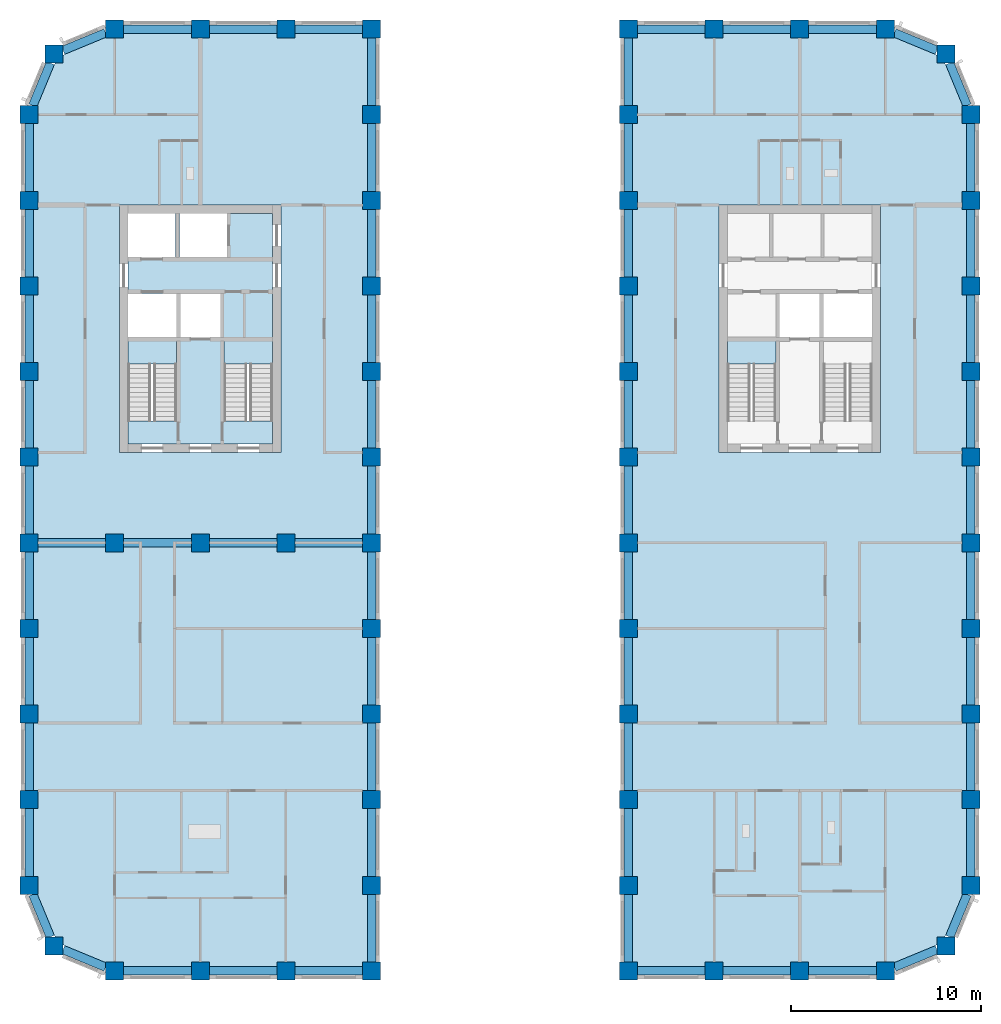
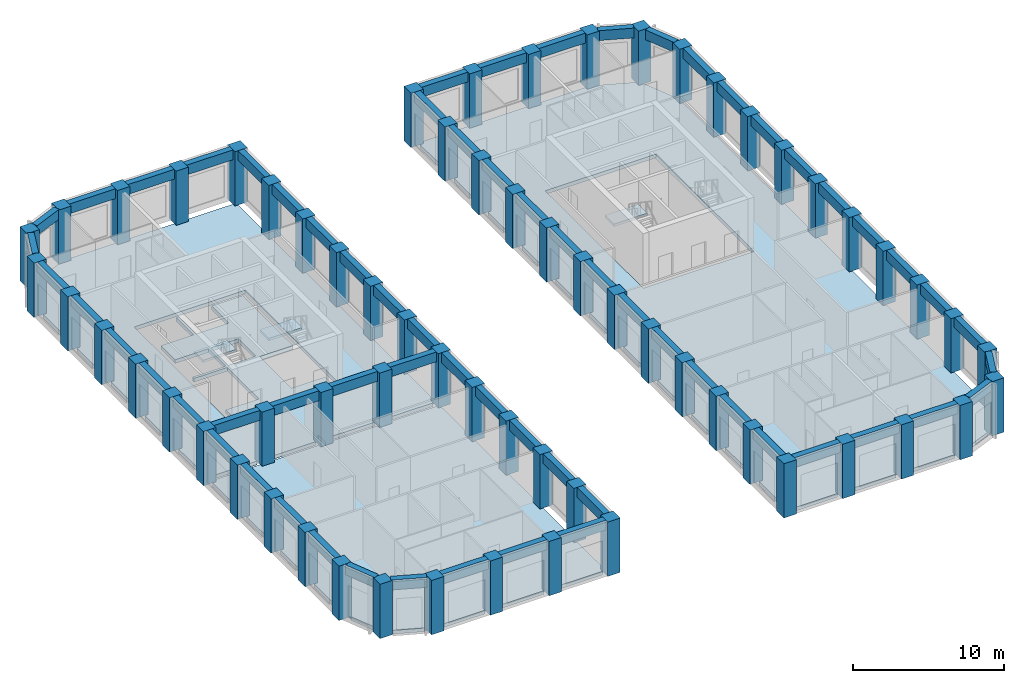
# One storey, part 1 of 12: 64 beams, 63 columns, 7 slabs, 3 elements without a shape of their own.
"""IFC4 building model written with IfcOpenShell, lengths in metres."""

import ifcopenshell
import ifcopenshell.guid

model = None  # the IFC model being written
_history = None  # IfcOwnerHistory: only IFC2X3 demands one
_inside = {}  # id of a spatial element -> (the spatial element, [elements in it])
_under = {}  # id of a project, library or spatial element -> (it, [spatial elements below it])
_declared = {}  # id of a project -> (the project, [libraries it declares])
_typed = {}  # id of a type object -> (the type object, [elements of that type])
_made_of = {}  # id of a material, layer set ... -> (it, [elements and type objects made of it])


def new_model(schema):
    """Start an empty IFC model of exactly this schema.

    Asked for "IFC4X3", IfcOpenShell would pick the latest addendum, in which some entities
    have other attributes; the version numbers below select the first issue.
    IFC2X3 requires an IfcOwnerHistory on every rooted entity: one is made here for all.
    """
    global model, _history
    if schema == "IFC4X3":
        model = ifcopenshell.file(schema_version=(4, 3, 0, 0))
    else:
        model = ifcopenshell.file(schema=schema)
    _inside.clear()
    _under.clear()
    _declared.clear()
    _typed.clear()
    _made_of.clear()
    _history = None
    if model.schema == "IFC2X3":
        org = make("IfcOrganization", Name="unknown")
        user = make(
            "IfcPersonAndOrganization",
            ThePerson=make("IfcPerson", FamilyName="unknown"),
            TheOrganization=org,
        )
        app = make(
            "IfcApplication",
            ApplicationDeveloper=org,
            Version="unknown",
            ApplicationFullName="unknown",
            ApplicationIdentifier="unknown",
        )
        _history = make(
            "IfcOwnerHistory",
            OwningUser=user,
            OwningApplication=app,
            ChangeAction="ADDED",
            CreationDate=0,
        )
    return model


def make(cls, **values):
    """One entity of the class cls with the attributes given. An attribute that is None is left unset."""
    return model.create_entity(
        cls, **{name: value for name, value in values.items() if value is not None}
    )


def rooted(cls, **values):
    """An entity with a GlobalId (a new one), such as an element, a storey or a relation."""
    return make(cls, GlobalId=ifcopenshell.guid.new(), OwnerHistory=_history, **values)


def si_unit(unit_type, name, prefix=None):
    """IfcSIUnit, for example si_unit("LENGTHUNIT", "METRE", prefix="MILLI")."""
    return make("IfcSIUnit", UnitType=unit_type, Prefix=prefix, Name=name)


def assignment(units):
    """IfcUnitAssignment: the units of a project."""
    return None if units is None else make("IfcUnitAssignment", Units=units)


def point(xyz):
    """IfcCartesianPoint."""
    return None if xyz is None else make("IfcCartesianPoint", Coordinates=xyz)


def direction(xyz):
    """IfcDirection."""
    return None if xyz is None else make("IfcDirection", DirectionRatios=xyz)


def frame(location, z_axis=None, x_axis=None):
    """IfcAxis2Placement3D, a coordinate frame: its origin and axes. An axis left out is left unset."""
    return make(
        "IfcAxis2Placement3D",
        Location=point(location),
        Axis=direction(z_axis),
        RefDirection=direction(x_axis),
    )


def frame_2d(location, x_axis=None):
    """IfcAxis2Placement2D, a coordinate frame in the plane: its origin and x axis."""
    return make(
        "IfcAxis2Placement2D", Location=point(location), RefDirection=direction(x_axis)
    )


def origin():
    """The frame at (0, 0, 0) with its axes left unset."""
    return frame((0.0, 0.0, 0.0))


def origin_2d():
    """The frame at (0, 0) in the plane with its x axis left unset."""
    return frame_2d((0.0, 0.0))


def place(relative_to, where):
    """IfcLocalPlacement: puts the frame where relative to a parent placement (None: the world)."""
    return make(
        "IfcLocalPlacement", PlacementRelTo=relative_to, RelativePlacement=where
    )


def context(
    kind, dimensions, precision=None, world=None, true_north=None, identifier=None
):
    """IfcGeometricRepresentationContext, for example the 3D "Model" context."""
    return make(
        "IfcGeometricRepresentationContext",
        ContextIdentifier=identifier,
        ContextType=kind,
        CoordinateSpaceDimension=dimensions,
        Precision=precision,
        WorldCoordinateSystem=world,
        TrueNorth=true_north,
    )


def subcontext(parent, identifier, kind, view, scale=None):
    """IfcGeometricRepresentationSubContext, for example "Body" below "Model"."""
    return make(
        "IfcGeometricRepresentationSubContext",
        ContextIdentifier=identifier,
        ContextType=kind,
        ParentContext=parent,
        TargetScale=scale,
        TargetView=view,
    )


def project(units=None, contexts=None):
    """IfcProject with its units and contexts."""
    return rooted(
        "IfcProject",
        Name="project",
        RepresentationContexts=contexts,
        UnitsInContext=assignment(units),
    )


def spatial(cls, under=None, at=None, **own):
    """A site, building, storey or space (cls), placed at a placement, below another one or the project."""
    s = rooted(cls, ObjectPlacement=at, **own)
    if under is not None:
        _under.setdefault(under.id(), (under, []))[1].append(s)
    return s


def polyline(points):
    """IfcPolyline through the points."""
    return make("IfcPolyline", Points=[point(p) for p in points])


def profile(cls, at=None, kind="AREA", **sizes):
    """A parametric profile (cls). Its sizes go by their IFC names, for example OverallWidth=200.0."""
    return make(cls, ProfileType=kind, Position=at, **sizes)


def rectangle(**sizes):
    """IfcRectangleProfileDef."""
    return profile("IfcRectangleProfileDef", **sizes)


def outline(outer, holes=None, kind="AREA"):
    """IfcArbitraryClosedProfileDef: a profile drawn as a closed curve; with holes, ...WithVoids."""
    if holes is None:
        return make("IfcArbitraryClosedProfileDef", ProfileType=kind, OuterCurve=outer)
    return make(
        "IfcArbitraryProfileDefWithVoids",
        ProfileType=kind,
        OuterCurve=outer,
        InnerCurves=holes,
    )


def extrude(swept, where, along, depth):
    """IfcExtrudedAreaSolid: the profile swept, set in the frame where, extruded along a direction by depth."""
    return make(
        "IfcExtrudedAreaSolid",
        SweptArea=swept,
        Position=where,
        ExtrudedDirection=direction(along),
        Depth=depth,
    )


def shape(context_of_items, identifier, shape_type, items):
    """IfcShapeRepresentation: the items that make up one representation, for example the "Body"."""
    return make(
        "IfcShapeRepresentation",
        ContextOfItems=context_of_items,
        RepresentationIdentifier=identifier,
        RepresentationType=shape_type,
        Items=items,
    )


def material(Name=None, Category=None):
    """IfcMaterial."""
    return make("IfcMaterial", Name=Name, Category=Category)


def layer(
    of_material, thickness, ventilated=None, Name=None, Category=None, Priority=None
):
    """IfcMaterialLayer: one layer of a wall or slab, of a material (None: an air gap)."""
    return make(
        "IfcMaterialLayer",
        Material=of_material,
        LayerThickness=thickness,
        IsVentilated=ventilated,
        Name=Name,
        Category=Category,
        Priority=Priority,
    )


def layer_set(layers, Name=None):
    """IfcMaterialLayerSet."""
    return make("IfcMaterialLayerSet", MaterialLayers=layers, LayerSetName=Name)


def material_profile(
    of_material, cross_section, Name=None, Category=None, Priority=None
):
    """IfcMaterialProfile: a cross section and its material."""
    return make(
        "IfcMaterialProfile",
        Name=Name,
        Material=of_material,
        Profile=cross_section,
        Priority=Priority,
        Category=Category,
    )


def profile_set(profiles, Name=None, composite=None):
    """IfcMaterialProfileSet."""
    return make(
        "IfcMaterialProfileSet",
        Name=Name,
        MaterialProfiles=profiles,
        CompositeProfile=composite,
    )


def made_of(thing, what):
    """Note that an element or type object is made of a material, layer set ...; save() writes the relation."""
    if what is not None:
        _made_of.setdefault(what.id(), (what, []))[1].append(thing)
    return thing


def type_object(cls, material=None, **own):
    """A type object (cls), such as IfcWallType, which elements share."""
    return made_of(rooted(cls, **own), material)


def element(
    cls,
    number,
    at=None,
    inside=None,
    cuts=None,
    type_object=None,
    material=None,
    context=None,
    identifier="Body",
    shape_type=None,
    held_by="IfcProductDefinitionShape",
    body=None,
    shapes=None,
    **own,
):
    """One element of the class cls, such as IfcWall. Its Tag is "e" and its number.

    at: its placement. inside: the storey or other place that contains it. cuts: it is an
    opening in that element (IfcRelVoidsElement). A single representation is given by context,
    identifier, shape_type and body (its items); several are given by shapes. held_by: the class
    of the entity that holds the representations. save() writes the other relations.
    """
    e = rooted(cls, Tag="e%d" % number, ObjectPlacement=at, **own)
    if body is not None:
        shapes = [shape(context, identifier, shape_type, body)]
    if shapes is not None:
        e.Representation = make(held_by, Representations=shapes)
    if inside is not None:
        _inside.setdefault(inside.id(), (inside, []))[1].append(e)
    if cuts is not None:
        rooted(
            "IfcRelVoidsElement", RelatingBuildingElement=cuts, RelatedOpeningElement=e
        )
    if type_object is not None:
        _typed.setdefault(type_object.id(), (type_object, []))[1].append(e)
    return made_of(e, material)


def aggregate(whole, parts):
    """IfcRelAggregates: a whole, such as a stair, and the parts it consists of."""
    return rooted("IfcRelAggregates", RelatingObject=whole, RelatedObjects=parts)


def save(model, path):
    """Write the relations noted so far, then the file.

    IfcRelAggregates (storeys below a building ...), IfcRelContainedInSpatialStructure (elements
    in a storey), IfcRelDefinesByType, IfcRelAssociatesMaterial and IfcRelDeclares: one each for
    every whole, place, type object, material and project.
    """
    for whole, parts in _under.values():
        aggregate(whole, parts)
    for where, things in _inside.values():
        rooted(
            "IfcRelContainedInSpatialStructure",
            RelatedElements=things,
            RelatingStructure=where,
        )
    for kind, things in _typed.values():
        rooted("IfcRelDefinesByType", RelatedObjects=things, RelatingType=kind)
    for what, things in _made_of.values():
        rooted("IfcRelAssociatesMaterial", RelatedObjects=things, RelatingMaterial=what)
    for by, libraries in _declared.values():
        rooted("IfcRelDeclares", RelatingContext=by, RelatedDefinitions=libraries)
    model.write(path)


model = new_model("IFC4")

# Units and contexts
model_context = context("Model", 3, precision=1e-05, world=origin(), true_north=direction((0.0, 1.0)))
body_context = subcontext(model_context, "Body", "Model", "MODEL_VIEW")
ifc_project = project(units=[si_unit("LENGTHUNIT", "METRE"), si_unit("AREAUNIT", "SQUARE_METRE"), si_unit("VOLUMEUNIT", "CUBIC_METRE"), si_unit("PLANEANGLEUNIT", "RADIAN"), si_unit("MASSUNIT", "GRAM", prefix="KILO")], contexts=[model_context])

# Site, building, storey
site_placement = place(None, origin())
site = spatial("IfcSite", under=ifc_project, at=site_placement, CompositionType="ELEMENT")
building_placement = place(site_placement, origin())
building = spatial("IfcBuilding", under=site, at=building_placement, Name="Girih Gate Residences", CompositionType="ELEMENT")
storey_placement = place(building_placement, frame((0.0, 0.0, 155.0)))
storey = spatial("IfcBuildingStorey", under=building, at=storey_placement, Name="L43", CompositionType="ELEMENT", Elevation=155.0)

# Columns
ifc_material_1 = material(Name="Concrete C70/85", Category="concrete")
ifc_material_profile_1 = material_profile(ifc_material_1, rectangle(XDim=0.949951171875, YDim=0.949951171875, at=origin_2d()))
ifc_profile_set_1 = profile_set([ifc_material_profile_1], Name="Concrete C70/85")
column_type = type_object("IfcColumnType", Name="Pier RC 950x950 Concrete C70/85", PredefinedType="COLUMN", material=ifc_profile_set_1)
for number, where, z_axis, x_axis, name in (
    (1, (4.5, 0.0, 0.0), (0.0, 0.0, 1.0), (1.0, 0.0, 0.0), "Pier P2A L43"),
    (2, (9.0, 0.0, 0.0), (0.0, 0.0, 1.0), (1.0, 0.0, 0.0), "Pier P3A L43"),
    (3, (13.5, 0.0, 0.0), (0.0, 0.0, 1.0), (1.0, 0.0, 0.0), "Pier P4A L43"),
    (4, (18.0, 0.0, 0.0), (0.0, 0.0, 1.0), (1.0, 0.0, 0.0), "Pier P5A L43"),
    (5, (31.5, 0.0, 0.0), (0.0, 0.0, 1.0), (1.0, 0.0, 0.0), "Pier P8A L43"),
    (6, (36.0, 0.0, 0.0), (0.0, 0.0, 1.0), (1.0, 0.0, 0.0), "Pier P9A L43"),
    (7, (40.5, 0.0, 0.0), (0.0, 0.0, 1.0), (1.0, 0.0, 0.0), "Pier P10A L43"),
    (8, (45.0, 0.0, 0.0), (0.0, 0.0, 1.0), (1.0, 0.0, 0.0), "Pier P11A L43"),
    (9, (1.318115234375, 1.318115234375, 0.0), (0.0, 0.0, 1.0), (1.0, 0.0, 0.0), "Pier P1ANE L43"),
    (10, (48.181884765625, 1.318115234375, 0.0), (0.0, 0.0, 1.0), (1.0, 0.0, 0.0), "Pier P12ANW L43"),
    (11, (0.0, 4.5, 0.0), (0.0, 0.0, 1.0), (1.0, 0.0, 0.0), "Pier P1B L43"),
    (12, (18.0, 4.5, 0.0), (0.0, 0.0, 1.0), (1.0, 0.0, 0.0), "Pier P5B L43"),
    (13, (31.5, 4.5, 0.0), (0.0, 0.0, 1.0), (1.0, 0.0, 0.0), "Pier P8B L43"),
    (14, (49.5, 4.5, 0.0), (0.0, 0.0, 1.0), (1.0, 0.0, 0.0), "Pier P12B L43"),
    (15, (0.0, 9.0, 0.0), (0.0, 0.0, 1.0), (1.0, 0.0, 0.0), "Pier P1C L43"),
    (16, (18.0, 9.0, 0.0), (0.0, 0.0, 1.0), (1.0, 0.0, 0.0), "Pier P5C L43"),
    (17, (31.5, 9.0, 0.0), (0.0, 0.0, 1.0), (1.0, 0.0, 0.0), "Pier P8C L43"),
    (18, (49.5, 9.0, 0.0), (0.0, 0.0, 1.0), (1.0, 0.0, 0.0), "Pier P12C L43"),
    (19, (0.0, 13.5, 0.0), (0.0, 0.0, 1.0), (1.0, 0.0, 0.0), "Pier P1D L43"),
    (20, (18.0, 13.5, 0.0), (0.0, 0.0, 1.0), (1.0, 0.0, 0.0), "Pier P5D L43"),
    (21, (31.5, 13.5, 0.0), (0.0, 0.0, 1.0), (1.0, 0.0, 0.0), "Pier P8D L43"),
    (22, (49.5, 13.5, 0.0), (0.0, 0.0, 1.0), (1.0, 0.0, 0.0), "Pier P12D L43"),
    (23, (0.0, 18.0, 0.0), (0.0, 0.0, 1.0), (1.0, 0.0, 0.0), "Pier P1E L43"),
    (24, (18.0, 18.0, 0.0), (0.0, 0.0, 1.0), (1.0, 0.0, 0.0), "Pier P5E L43"),
    (25, (31.5, 18.0, 0.0), (0.0, 0.0, 1.0), (1.0, 0.0, 0.0), "Pier P8E L43"),
    (26, (49.5, 18.0, 0.0), (0.0, 0.0, 1.0), (1.0, 0.0, 0.0), "Pier P12E L43"),
    (27, (0.0, 22.5, 0.0), (0.0, 0.0, 1.0), (1.0, 0.0, 0.0), "Pier P1F L43"),
    (28, (4.5, 22.5, 0.0), (0.0, 0.0, 1.0), (1.0, 0.0, 0.0), "Pier P2F L43"),
    (29, (9.0, 22.5, 0.0), (0.0, 0.0, 1.0), (1.0, 0.0, 0.0), "Pier P3F L43"),
    (30, (13.5, 22.5, 0.0), (0.0, 0.0, 1.0), (1.0, 0.0, 0.0), "Pier P4F L43"),
    (31, (18.0, 22.5, 0.0), (0.0, 0.0, 1.0), (1.0, 0.0, 0.0), "Pier P5F L43"),
    (32, (31.5, 22.5, 0.0), (0.0, 0.0, 1.0), (1.0, 0.0, 0.0), "Pier P8F L43"),
    (33, (49.5, 22.5, 0.0), (0.0, 0.0, 1.0), (1.0, 0.0, 0.0), "Pier P12F L43"),
    (34, (0.0, 27.0, 0.0), (0.0, 0.0, 1.0), (1.0, 0.0, 0.0), "Pier P1G L43"),
    (35, (18.0, 27.0, 0.0), (0.0, 0.0, 1.0), (1.0, 0.0, 0.0), "Pier P5G L43"),
    (36, (31.5, 27.0, 0.0), (0.0, 0.0, 1.0), (1.0, 0.0, 0.0), "Pier P8G L43"),
    (37, (49.5, 27.0, 0.0), (0.0, 0.0, 1.0), (1.0, 0.0, 0.0), "Pier P12G L43"),
    (38, (0.0, 31.5, 0.0), (0.0, 0.0, 1.0), (1.0, 0.0, 0.0), "Pier P1H L43"),
    (39, (18.0, 31.5, 0.0), (0.0, 0.0, 1.0), (1.0, 0.0, 0.0), "Pier P5H L43"),
    (40, (31.5, 31.5, 0.0), (0.0, 0.0, 1.0), (1.0, 0.0, 0.0), "Pier P8H L43"),
    (41, (49.5, 31.5, 0.0), (0.0, 0.0, 1.0), (1.0, 0.0, 0.0), "Pier P12H L43"),
    (42, (0.0, 36.0, 0.0), (0.0, 0.0, 1.0), (1.0, 0.0, 0.0), "Pier P1I L43"),
    (43, (18.0, 36.0, 0.0), (0.0, 0.0, 1.0), (1.0, 0.0, 0.0), "Pier P5I L43"),
    (44, (31.5, 36.0, 0.0), (0.0, 0.0, 1.0), (1.0, 0.0, 0.0), "Pier P8I L43"),
    (45, (49.5, 36.0, 0.0), (0.0, 0.0, 1.0), (1.0, 0.0, 0.0), "Pier P12I L43"),
    (46, (0.0, 40.5, 0.0), (0.0, 0.0, 1.0), (1.0, 0.0, 0.0), "Pier P1J L43"),
    (47, (18.0, 40.5, 0.0), (0.0, 0.0, 1.0), (1.0, 0.0, 0.0), "Pier P5J L43"),
    (48, (31.5, 40.5, 0.0), (0.0, 0.0, 1.0), (1.0, 0.0, 0.0), "Pier P8J L43"),
    (49, (49.5, 40.5, 0.0), (0.0, 0.0, 1.0), (1.0, 0.0, 0.0), "Pier P12J L43"),
    (50, (0.0, 45.0, 0.0), (0.0, 0.0, 1.0), (1.0, 0.0, 0.0), "Pier P1K L43"),
    (51, (18.0, 45.0, 0.0), (0.0, 0.0, 1.0), (1.0, 0.0, 0.0), "Pier P5K L43"),
    (52, (31.5, 45.0, 0.0), (0.0, 0.0, 1.0), (1.0, 0.0, 0.0), "Pier P8K L43"),
    (53, (49.5, 45.0, 0.0), (0.0, 0.0, 1.0), (1.0, 0.0, 0.0), "Pier P12K L43"),
    (54, (1.318115234375, 48.181884765625, 0.0), (0.0, 0.0, 1.0), (1.0, 0.0, 0.0), "Pier P1LSE L43"),
    (55, (48.181884765625, 48.181884765625, 0.0), (0.0, 0.0, 1.0), (1.0, 0.0, 0.0), "Pier P12LSW L43"),
    (56, (4.5, 49.5, 0.0), (0.0, 0.0, 1.0), (1.0, 0.0, 0.0), "Pier P2L L43"),
    (57, (9.0, 49.5, 0.0), (0.0, 0.0, 1.0), (1.0, 0.0, 0.0), "Pier P3L L43"),
    (58, (13.5, 49.5, 0.0), (0.0, 0.0, 1.0), (1.0, 0.0, 0.0), "Pier P4L L43"),
    (59, (18.0, 49.5, 0.0), (0.0, 0.0, 1.0), (1.0, 0.0, 0.0), "Pier P5L L43"),
    (60, (31.5, 49.5, 0.0), (0.0, 0.0, 1.0), (1.0, 0.0, 0.0), "Pier P8L L43"),
    (61, (36.0, 49.5, 0.0), (0.0, 0.0, 1.0), (1.0, 0.0, 0.0), "Pier P9L L43"),
    (62, (40.5, 49.5, 0.0), (0.0, 0.0, 1.0), (1.0, 0.0, 0.0), "Pier P10L L43"),
    (63, (45.0, 49.5, 0.0), (0.0, 0.0, 1.0), (1.0, 0.0, 0.0), "Pier P11L L43"),
):
    element("IfcColumn", number, at=place(storey_placement, frame(where, z_axis=z_axis, x_axis=x_axis)), inside=storey, type_object=column_type, Name=name, PredefinedType="COLUMN", context=body_context, shape_type="SweptSolid", body=[
        extrude(rectangle(XDim=0.949951171875, YDim=0.949951171875, at=origin_2d()), origin(), (0.0, 0.0, 1.0), 4.39990234375),
    ])

# Beams
ifc_material_2 = material(Name="Concrete C60/75", Category="concrete")
ifc_material_profile_2 = material_profile(ifc_material_2, rectangle(XDim=0.449951171875, YDim=0.800048828125, at=origin_2d()))
ifc_profile_set_2 = profile_set([ifc_material_profile_2], Name="Concrete C60/75")
beam_type = type_object("IfcBeamType", Name="Spandrel girder RC 450x800 Concrete C60/75", PredefinedType="BEAM", material=ifc_profile_set_2)
for number, where, z_axis, x_axis, name in (
    (64, (17.52490234375, 49.5, 4.0), (-1.0, 0.0, 0.0), (0.0, -1.0, 0.0), "Spandrel girder SP-P5L-P4L L43"),
    (65, (13.02490234375, 49.5, 4.0), (-1.0, 0.0, 0.0), (0.0, -1.0, 0.0), "Spandrel girder SP-P4L-P3L L43"),
    (66, (8.52490234375, 49.5, 4.0), (-1.0, 0.0, 0.0), (0.0, -1.0, 0.0), "Spandrel girder SP-P3L-P2L L43"),
):
    element("IfcBeam", number, at=place(storey_placement, frame(where, z_axis=z_axis, x_axis=x_axis)), inside=storey, type_object=beam_type, Name=name, PredefinedType="BEAM", context=body_context, shape_type="SweptSolid", body=[
        extrude(rectangle(XDim=0.449951171875, YDim=0.800048828125, at=origin_2d()), origin(), (0.0, 0.0, 1.0), 3.5498046875),
    ])
for number, where, z_axis, x_axis, name in (
    (67, (4.02490234375, 49.30322265625, 4.0), (-0.923870256451, -0.382705825988, 0.0), (0.382705825988, -0.923870256451, 0.0), "Spandrel girder SP-P2L-P1LSE L43"),
    (68, (1.121337890625, 47.70703125, 4.0), (-0.382705825988, -0.923870256451, 0.0), (0.923870256451, -0.382705825988, 0.0), "Spandrel girder SP-P1LSE-P1K L43"),
):
    element("IfcBeam", number, at=place(storey_placement, frame(where, z_axis=z_axis, x_axis=x_axis)), inside=storey, type_object=beam_type, Name=name, PredefinedType="BEAM", context=body_context, shape_type="SweptSolid", body=[
        extrude(rectangle(XDim=0.449951171875, YDim=0.800048828125, at=origin_2d()), origin(), (0.0, 0.0, 1.0), 2.415771484375),
    ])
for number, where, z_axis, x_axis, name in (
    (69, (0.0, 44.52490234375, 4.0), (0.0, -1.0, 0.0), (1.0, 0.0, 0.0), "Spandrel girder SP-P1K-P1J L43"),
    (70, (0.0, 40.02490234375, 4.0), (0.0, -1.0, 0.0), (1.0, 0.0, 0.0), "Spandrel girder SP-P1J-P1I L43"),
    (71, (0.0, 35.52490234375, 4.0), (0.0, -1.0, 0.0), (1.0, 0.0, 0.0), "Spandrel girder SP-P1I-P1H L43"),
    (72, (0.0, 31.02490234375, 4.0), (0.0, -1.0, 0.0), (1.0, 0.0, 0.0), "Spandrel girder SP-P1H-P1G L43"),
    (73, (0.0, 26.52490234375, 4.0), (0.0, -1.0, 0.0), (1.0, 0.0, 0.0), "Spandrel girder SP-P1G-P1F L43"),
    (74, (0.0, 22.02490234375, 4.0), (0.0, -1.0, 0.0), (1.0, 0.0, 0.0), "Spandrel girder SP-P1F-P1E L43"),
    (75, (0.0, 17.52490234375, 4.0), (0.0, -1.0, 0.0), (1.0, 0.0, 0.0), "Spandrel girder SP-P1E-P1D L43"),
    (76, (0.0, 13.02490234375, 4.0), (0.0, -1.0, 0.0), (1.0, 0.0, 0.0), "Spandrel girder SP-P1D-P1C L43"),
    (77, (0.0, 8.52490234375, 4.0), (0.0, -1.0, 0.0), (1.0, 0.0, 0.0), "Spandrel girder SP-P1C-P1B L43"),
):
    element("IfcBeam", number, at=place(storey_placement, frame(where, z_axis=z_axis, x_axis=x_axis)), inside=storey, type_object=beam_type, Name=name, PredefinedType="BEAM", context=body_context, shape_type="SweptSolid", body=[
        extrude(rectangle(XDim=0.449951171875, YDim=0.800048828125, at=origin_2d()), origin(), (0.0, 0.0, 1.0), 3.5498046875),
    ])
for number, where, z_axis, x_axis, name in (
    (78, (0.19677734375, 4.02490234375, 4.0), (0.382705825988, -0.923870256451, 0.0), (0.923870256451, 0.382705825988, 0.0), "Spandrel girder SP-P1B-P1ANE L43"),
    (79, (1.79296875, 1.121337890625, 4.0), (0.923870256451, -0.382705825988, 0.0), (0.382705825988, 0.923870256451, 0.0), "Spandrel girder SP-P1ANE-P2A L43"),
):
    element("IfcBeam", number, at=place(storey_placement, frame(where, z_axis=z_axis, x_axis=x_axis)), inside=storey, type_object=beam_type, Name=name, PredefinedType="BEAM", context=body_context, shape_type="SweptSolid", body=[
        extrude(rectangle(XDim=0.449951171875, YDim=0.800048828125, at=origin_2d()), origin(), (0.0, 0.0, 1.0), 2.415771484375),
    ])
for number, where, z_axis, x_axis, name in (
    (80, (4.97509765625, 0.0, 4.0), (1.0, 0.0, 0.0), (0.0, 1.0, 0.0), "Spandrel girder SP-P2A-P3A L43"),
    (81, (9.47509765625, 0.0, 4.0), (1.0, 0.0, 0.0), (0.0, 1.0, 0.0), "Spandrel girder SP-P3A-P4A L43"),
    (82, (13.97509765625, 0.0, 4.0), (1.0, 0.0, 0.0), (0.0, 1.0, 0.0), "Spandrel girder SP-P4A-P5A L43"),
    (83, (18.0, 0.47509765625, 4.0), (0.0, 1.0, 0.0), (-1.0, 0.0, 0.0), "Spandrel girder SP-P5A-P5B L43"),
    (84, (18.0, 4.97509765625, 4.0), (0.0, 1.0, 0.0), (-1.0, 0.0, 0.0), "Spandrel girder SP-P5B-P5C L43"),
    (85, (18.0, 9.47509765625, 4.0), (0.0, 1.0, 0.0), (-1.0, 0.0, 0.0), "Spandrel girder SP-P5C-P5D L43"),
    (86, (18.0, 13.97509765625, 4.0), (0.0, 1.0, 0.0), (-1.0, 0.0, 0.0), "Spandrel girder SP-P5D-P5E L43"),
    (87, (18.0, 18.47509765625, 4.0), (0.0, 1.0, 0.0), (-1.0, 0.0, 0.0), "Spandrel girder SP-P5E-P5F L43"),
    (88, (18.0, 22.97509765625, 4.0), (0.0, 1.0, 0.0), (-1.0, 0.0, 0.0), "Spandrel girder SP-P5F-P5G L43"),
    (89, (18.0, 27.47509765625, 4.0), (0.0, 1.0, 0.0), (-1.0, 0.0, 0.0), "Spandrel girder SP-P5G-P5H L43"),
    (90, (18.0, 31.97509765625, 4.0), (0.0, 1.0, 0.0), (-1.0, 0.0, 0.0), "Spandrel girder SP-P5H-P5I L43"),
    (91, (18.0, 36.47509765625, 4.0), (0.0, 1.0, 0.0), (-1.0, 0.0, 0.0), "Spandrel girder SP-P5I-P5J L43"),
    (92, (18.0, 40.97509765625, 4.0), (0.0, 1.0, 0.0), (-1.0, 0.0, 0.0), "Spandrel girder SP-P5J-P5K L43"),
    (93, (18.0, 45.47509765625, 4.0), (0.0, 1.0, 0.0), (-1.0, 0.0, 0.0), "Spandrel girder SP-P5K-P5L L43"),
    (94, (31.97509765625, 0.0, 4.0), (1.0, 0.0, 0.0), (0.0, 1.0, 0.0), "Spandrel girder SP-P8A-P9A L43"),
    (95, (36.47509765625, 0.0, 4.0), (1.0, 0.0, 0.0), (0.0, 1.0, 0.0), "Spandrel girder SP-P9A-P10A L43"),
    (96, (40.97509765625, 0.0, 4.0), (1.0, 0.0, 0.0), (0.0, 1.0, 0.0), "Spandrel girder SP-P10A-P11A L43"),
):
    element("IfcBeam", number, at=place(storey_placement, frame(where, z_axis=z_axis, x_axis=x_axis)), inside=storey, type_object=beam_type, Name=name, PredefinedType="BEAM", context=body_context, shape_type="SweptSolid", body=[
        extrude(rectangle(XDim=0.449951171875, YDim=0.800048828125, at=origin_2d()), origin(), (0.0, 0.0, 1.0), 3.5498046875),
    ])
for number, where, z_axis, x_axis, name in (
    (97, (45.47509765625, 0.19677734375, 4.0), (0.923870256451, 0.382705825988, 0.0), (-0.382705825988, 0.923870256451, 0.0), "Spandrel girder SP-P11A-P12ANW L43"),
    (98, (48.378662109375, 1.79296875, 4.0), (0.382705825988, 0.923870256451, 0.0), (-0.923870256451, 0.382705825988, 0.0), "Spandrel girder SP-P12ANW-P12B L43"),
):
    element("IfcBeam", number, at=place(storey_placement, frame(where, z_axis=z_axis, x_axis=x_axis)), inside=storey, type_object=beam_type, Name=name, PredefinedType="BEAM", context=body_context, shape_type="SweptSolid", body=[
        extrude(rectangle(XDim=0.449951171875, YDim=0.800048828125, at=origin_2d()), origin(), (0.0, 0.0, 1.0), 2.415771484375),
    ])
for number, where, z_axis, x_axis, name in (
    (99, (49.5, 4.97509765625, 4.0), (0.0, 1.0, 0.0), (-1.0, 0.0, 0.0), "Spandrel girder SP-P12B-P12C L43"),
    (100, (49.5, 9.47509765625, 4.0), (0.0, 1.0, 0.0), (-1.0, 0.0, 0.0), "Spandrel girder SP-P12C-P12D L43"),
    (101, (49.5, 13.97509765625, 4.0), (0.0, 1.0, 0.0), (-1.0, 0.0, 0.0), "Spandrel girder SP-P12D-P12E L43"),
    (102, (49.5, 18.47509765625, 4.0), (0.0, 1.0, 0.0), (-1.0, 0.0, 0.0), "Spandrel girder SP-P12E-P12F L43"),
    (103, (49.5, 22.97509765625, 4.0), (0.0, 1.0, 0.0), (-1.0, 0.0, 0.0), "Spandrel girder SP-P12F-P12G L43"),
    (104, (49.5, 27.47509765625, 4.0), (0.0, 1.0, 0.0), (-1.0, 0.0, 0.0), "Spandrel girder SP-P12G-P12H L43"),
    (105, (49.5, 31.97509765625, 4.0), (0.0, 1.0, 0.0), (-1.0, 0.0, 0.0), "Spandrel girder SP-P12H-P12I L43"),
    (106, (49.5, 36.47509765625, 4.0), (0.0, 1.0, 0.0), (-1.0, 0.0, 0.0), "Spandrel girder SP-P12I-P12J L43"),
    (107, (49.5, 40.97509765625, 4.0), (0.0, 1.0, 0.0), (-1.0, 0.0, 0.0), "Spandrel girder SP-P12J-P12K L43"),
):
    element("IfcBeam", number, at=place(storey_placement, frame(where, z_axis=z_axis, x_axis=x_axis)), inside=storey, type_object=beam_type, Name=name, PredefinedType="BEAM", context=body_context, shape_type="SweptSolid", body=[
        extrude(rectangle(XDim=0.449951171875, YDim=0.800048828125, at=origin_2d()), origin(), (0.0, 0.0, 1.0), 3.5498046875),
    ])
for number, where, z_axis, x_axis, name in (
    (108, (49.30322265625, 45.47509765625, 4.0), (-0.382705825988, 0.923870256451, 0.0), (-0.923870256451, -0.382705825988, 0.0), "Spandrel girder SP-P12K-P12LSW L43"),
    (109, (47.70703125, 48.378662109375, 4.0), (-0.923870256451, 0.382705825988, 0.0), (-0.382705825988, -0.923870256451, 0.0), "Spandrel girder SP-P12LSW-P11L L43"),
):
    element("IfcBeam", number, at=place(storey_placement, frame(where, z_axis=z_axis, x_axis=x_axis)), inside=storey, type_object=beam_type, Name=name, PredefinedType="BEAM", context=body_context, shape_type="SweptSolid", body=[
        extrude(rectangle(XDim=0.449951171875, YDim=0.800048828125, at=origin_2d()), origin(), (0.0, 0.0, 1.0), 2.415771484375),
    ])
for number, where, z_axis, x_axis, name in (
    (110, (44.52490234375, 49.5, 4.0), (-1.0, 0.0, 0.0), (0.0, -1.0, 0.0), "Spandrel girder SP-P11L-P10L L43"),
    (111, (40.02490234375, 49.5, 4.0), (-1.0, 0.0, 0.0), (0.0, -1.0, 0.0), "Spandrel girder SP-P10L-P9L L43"),
    (112, (35.52490234375, 49.5, 4.0), (-1.0, 0.0, 0.0), (0.0, -1.0, 0.0), "Spandrel girder SP-P9L-P8L L43"),
    (113, (31.5, 49.02490234375, 4.0), (0.0, -1.0, 0.0), (1.0, 0.0, 0.0), "Spandrel girder SP-P8L-P8K L43"),
    (114, (31.5, 44.52490234375, 4.0), (0.0, -1.0, 0.0), (1.0, 0.0, 0.0), "Spandrel girder SP-P8K-P8J L43"),
    (115, (31.5, 40.02490234375, 4.0), (0.0, -1.0, 0.0), (1.0, 0.0, 0.0), "Spandrel girder SP-P8J-P8I L43"),
    (116, (31.5, 35.52490234375, 4.0), (0.0, -1.0, 0.0), (1.0, 0.0, 0.0), "Spandrel girder SP-P8I-P8H L43"),
    (117, (31.5, 31.02490234375, 4.0), (0.0, -1.0, 0.0), (1.0, 0.0, 0.0), "Spandrel girder SP-P8H-P8G L43"),
    (118, (31.5, 26.52490234375, 4.0), (0.0, -1.0, 0.0), (1.0, 0.0, 0.0), "Spandrel girder SP-P8G-P8F L43"),
    (119, (31.5, 22.02490234375, 4.0), (0.0, -1.0, 0.0), (1.0, 0.0, 0.0), "Spandrel girder SP-P8F-P8E L43"),
    (120, (31.5, 17.52490234375, 4.0), (0.0, -1.0, 0.0), (1.0, 0.0, 0.0), "Spandrel girder SP-P8E-P8D L43"),
    (121, (31.5, 13.02490234375, 4.0), (0.0, -1.0, 0.0), (1.0, 0.0, 0.0), "Spandrel girder SP-P8D-P8C L43"),
    (122, (31.5, 8.52490234375, 4.0), (0.0, -1.0, 0.0), (1.0, 0.0, 0.0), "Spandrel girder SP-P8C-P8B L43"),
    (123, (31.5, 4.02490234375, 4.0), (0.0, -1.0, 0.0), (1.0, 0.0, 0.0), "Spandrel girder SP-P8B-P8A L43"),
    (124, (0.47509765625, 22.5, 4.0), (1.0, 0.0, 0.0), (0.0, 1.0, 0.0), "Spandrel girder SP-P1F-P2F L43"),
    (125, (4.97509765625, 22.5, 4.0), (1.0, 0.0, 0.0), (0.0, 1.0, 0.0), "Spandrel girder SP-P2F-P3F L43"),
    (126, (9.47509765625, 22.5, 4.0), (1.0, 0.0, 0.0), (0.0, 1.0, 0.0), "Spandrel girder SP-P3F-P4F L43"),
    (127, (13.97509765625, 22.5, 4.0), (1.0, 0.0, 0.0), (0.0, 1.0, 0.0), "Spandrel girder SP-P4F-P5F L43"),
):
    element("IfcBeam", number, at=place(storey_placement, frame(where, z_axis=z_axis, x_axis=x_axis)), inside=storey, type_object=beam_type, Name=name, PredefinedType="BEAM", context=body_context, shape_type="SweptSolid", body=[
        extrude(rectangle(XDim=0.449951171875, YDim=0.800048828125, at=origin_2d()), origin(), (0.0, 0.0, 1.0), 3.5498046875),
    ])

# Slabs
ifc_material_3 = material(Name="Concrete C40/50", Category="concrete")
ifc_layer_1 = layer(ifc_material_3, 0.300048828125)
ifc_layer_set_1 = layer_set([ifc_layer_1], Name="Core floor slab 300")
slab_type_1 = type_object("IfcSlabType", Name="Core floor slab 300", PredefinedType="FLOOR", material=ifc_layer_set_1)
slab_1_placement = place(storey_placement, frame((0.0, 0.0, -0.300048828125)))
element("IfcSlab", 128, at=slab_1_placement, inside=storey, type_object=slab_type_1, Name="L43 W core floor", PredefinedType="FLOOR", context=body_context, shape_type="SweptSolid", body=[
    extrude(outline(polyline([(12.800048828125, 27.699951171875), (5.199951171875, 27.699951171875), (5.199951171875, 28.900634765625), (7.75, 28.900634765625), (7.75, 33.10009765625), (5.199951171875, 33.10009765625), (5.199951171875, 33.300048828125), (7.75, 33.300048828125), (7.75, 35.60009765625), (5.199951171875, 35.60009765625), (5.199951171875, 37.5), (7.699951171875, 37.5), (7.699951171875, 39.800048828125), (7.89990234375, 39.800048828125), (7.89990234375, 37.5), (10.39990234375, 37.5), (10.39990234375, 39.800048828125), (12.800048828125, 39.800048828125), (12.800048828125, 33.10009765625), (10.25, 33.10009765625), (10.25, 28.900634765625), (12.800048828125, 28.900634765625), (12.800048828125, 27.699951171875)]), holes=[polyline([(7.949951171875, 33.300048828125), (10.050048828125, 33.300048828125), (10.050048828125, 35.60009765625), (7.949951171875, 35.60009765625), (7.949951171875, 33.300048828125)])]), origin(), (0.0, 0.0, 1.0), 0.300048828125),
])
ifc_layer_2 = layer(ifc_material_3, 0.300048828125)
ifc_layer_set_2 = layer_set([ifc_layer_2], Name="Floor slab PT 300 Concrete C40/50")
slab_type_2 = type_object("IfcSlabType", Name="Floor slab PT 300 Concrete C40/50", PredefinedType="FLOOR", material=ifc_layer_set_2)
slab_2_placement = place(storey_placement, frame((0.0, 0.0, -0.300048828125)))
element("IfcSlab", 129, at=slab_2_placement, inside=storey, type_object=slab_type_2, Name="Floor slab L43 0", PredefinedType="FLOOR", context=body_context, shape_type="SweptSolid", body=[
    extrude(outline(polyline([(13.97509765625, 0.22509765625), (17.52490234375, 0.22509765625), (17.52490234375, 0.47509765625), (17.77490234375, 0.47509765625), (17.77490234375, 4.02490234375), (17.52490234375, 4.02490234375), (17.52490234375, 4.97509765625), (17.77490234375, 4.97509765625), (17.77490234375, 8.52490234375), (17.52490234375, 8.52490234375), (17.52490234375, 9.47509765625), (17.77490234375, 9.47509765625), (17.77490234375, 13.02490234375), (17.52490234375, 13.02490234375), (17.52490234375, 13.97509765625), (17.77490234375, 13.97509765625), (17.77490234375, 17.52490234375), (17.52490234375, 17.52490234375), (17.52490234375, 18.47509765625), (17.77490234375, 18.47509765625), (17.77490234375, 22.02490234375), (17.52490234375, 22.02490234375), (17.52490234375, 22.27490234375), (13.97509765625, 22.27490234375), (13.97509765625, 22.02490234375), (13.02490234375, 22.02490234375), (13.02490234375, 22.27490234375), (9.47509765625, 22.27490234375), (9.47509765625, 22.02490234375), (8.52490234375, 22.02490234375), (8.52490234375, 22.27490234375), (4.97509765625, 22.27490234375), (4.97509765625, 22.02490234375), (4.02490234375, 22.02490234375), (4.02490234375, 22.27490234375), (0.47509765625, 22.27490234375), (0.47509765625, 22.02490234375), (0.22509765625, 22.02490234375), (0.22509765625, 18.47509765625), (0.47509765625, 18.47509765625), (0.47509765625, 17.52490234375), (0.22509765625, 17.52490234375), (0.22509765625, 13.97509765625), (0.47509765625, 13.97509765625), (0.47509765625, 13.02490234375), (0.22509765625, 13.02490234375), (0.22509765625, 9.47509765625), (0.47509765625, 9.47509765625), (0.47509765625, 8.52490234375), (0.22509765625, 8.52490234375), (0.22509765625, 4.97509765625), (0.47509765625, 4.97509765625), (0.47509765625, 4.02490234375), (0.440185546875, 4.02490234375), (1.36474609375, 1.79296875), (1.79296875, 1.79296875), (1.79296875, 1.36474609375), (4.02490234375, 0.440185546875), (4.02490234375, 0.47509765625), (4.97509765625, 0.47509765625), (4.97509765625, 0.22509765625), (8.52490234375, 0.22509765625), (8.52490234375, 0.47509765625), (9.47509765625, 0.47509765625), (9.47509765625, 0.22509765625), (13.02490234375, 0.22509765625), (13.02490234375, 0.47509765625), (13.97509765625, 0.47509765625), (13.97509765625, 0.22509765625)])), origin(), (0.0, 0.0, 1.0), 0.300048828125),
])
slab_3_placement = place(storey_placement, frame((0.0, 0.0, -0.300048828125)))
element("IfcSlab", 130, at=slab_3_placement, inside=storey, type_object=slab_type_2, Name="Floor slab L43 1", PredefinedType="FLOOR", context=body_context, shape_type="SweptSolid", body=[
    extrude(outline(polyline([(35.52490234375, 49.27490234375), (31.97509765625, 49.27490234375), (31.97509765625, 49.02490234375), (31.72509765625, 49.02490234375), (31.72509765625, 45.47509765625), (31.97509765625, 45.47509765625), (31.97509765625, 44.52490234375), (31.72509765625, 44.52490234375), (31.72509765625, 40.97509765625), (31.97509765625, 40.97509765625), (31.97509765625, 40.02490234375), (31.72509765625, 40.02490234375), (31.72509765625, 36.47509765625), (31.97509765625, 36.47509765625), (31.97509765625, 35.52490234375), (31.72509765625, 35.52490234375), (31.72509765625, 31.97509765625), (31.97509765625, 31.97509765625), (31.97509765625, 31.02490234375), (31.72509765625, 31.02490234375), (31.72509765625, 27.47509765625), (31.97509765625, 27.47509765625), (31.97509765625, 26.52490234375), (31.72509765625, 26.52490234375), (31.72509765625, 22.97509765625), (31.97509765625, 22.97509765625), (31.97509765625, 22.02490234375), (31.72509765625, 22.02490234375), (31.72509765625, 18.47509765625), (31.97509765625, 18.47509765625), (31.97509765625, 17.52490234375), (31.72509765625, 17.52490234375), (31.72509765625, 13.97509765625), (31.97509765625, 13.97509765625), (31.97509765625, 13.02490234375), (31.72509765625, 13.02490234375), (31.72509765625, 9.47509765625), (31.97509765625, 9.47509765625), (31.97509765625, 8.52490234375), (31.72509765625, 8.52490234375), (31.72509765625, 4.97509765625), (31.97509765625, 4.97509765625), (31.97509765625, 4.02490234375), (31.72509765625, 4.02490234375), (31.72509765625, 0.47509765625), (31.97509765625, 0.47509765625), (31.97509765625, 0.22509765625), (35.52490234375, 0.22509765625), (35.52490234375, 0.47509765625), (36.47509765625, 0.47509765625), (36.47509765625, 0.22509765625), (40.02490234375, 0.22509765625), (40.02490234375, 0.47509765625), (40.97509765625, 0.47509765625), (40.97509765625, 0.22509765625), (44.52490234375, 0.22509765625), (44.52490234375, 0.47509765625), (45.47509765625, 0.47509765625), (45.47509765625, 0.440185546875), (47.70703125, 1.36474609375), (47.70703125, 1.79296875), (48.13525390625, 1.79296875), (49.059814453125, 4.02490234375), (49.02490234375, 4.02490234375), (49.02490234375, 4.97509765625), (49.27490234375, 4.97509765625), (49.27490234375, 8.52490234375), (49.02490234375, 8.52490234375), (49.02490234375, 9.47509765625), (49.27490234375, 9.47509765625), (49.27490234375, 13.02490234375), (49.02490234375, 13.02490234375), (49.02490234375, 13.97509765625), (49.27490234375, 13.97509765625), (49.27490234375, 17.52490234375), (49.02490234375, 17.52490234375), (49.02490234375, 18.47509765625), (49.27490234375, 18.47509765625), (49.27490234375, 22.02490234375), (49.02490234375, 22.02490234375), (49.02490234375, 22.97509765625), (49.27490234375, 22.97509765625), (49.27490234375, 26.52490234375), (49.02490234375, 26.52490234375), (49.02490234375, 27.47509765625), (49.27490234375, 27.47509765625), (49.27490234375, 31.02490234375), (49.02490234375, 31.02490234375), (49.02490234375, 31.97509765625), (49.27490234375, 31.97509765625), (49.27490234375, 35.52490234375), (49.02490234375, 35.52490234375), (49.02490234375, 36.47509765625), (49.27490234375, 36.47509765625), (49.27490234375, 40.02490234375), (49.02490234375, 40.02490234375), (49.02490234375, 40.97509765625), (49.27490234375, 40.97509765625), (49.27490234375, 44.52490234375), (49.02490234375, 44.52490234375), (49.02490234375, 45.47509765625), (49.059814453125, 45.47509765625), (48.13525390625, 47.70703125), (47.70703125, 47.70703125), (47.70703125, 48.13525390625), (45.47509765625, 49.059814453125), (45.47509765625, 49.02490234375), (44.52490234375, 49.02490234375), (44.52490234375, 49.27490234375), (40.97509765625, 49.27490234375), (40.97509765625, 49.02490234375), (40.02490234375, 49.02490234375), (40.02490234375, 49.27490234375), (36.47509765625, 49.27490234375), (36.47509765625, 49.02490234375), (35.52490234375, 49.02490234375), (35.52490234375, 49.27490234375)]), holes=[polyline([(44.75, 40.25), (44.75, 27.25), (36.25, 27.25), (36.25, 40.25), (44.75, 40.25)])]), origin(), (0.0, 0.0, 1.0), 0.300048828125),
])
slab_4_placement = place(storey_placement, frame((0.0, 0.0, -0.300048828125)))
element("IfcSlab", 131, at=slab_4_placement, inside=storey, type_object=slab_type_2, Name="Floor slab L43 2", PredefinedType="FLOOR", context=body_context, shape_type="SweptSolid", body=[
    extrude(outline(polyline([(0.22509765625, 26.52490234375), (0.22509765625, 22.97509765625), (0.47509765625, 22.97509765625), (0.47509765625, 22.72509765625), (4.02490234375, 22.72509765625), (4.02490234375, 22.97509765625), (4.97509765625, 22.97509765625), (4.97509765625, 22.72509765625), (8.52490234375, 22.72509765625), (8.52490234375, 22.97509765625), (9.47509765625, 22.97509765625), (9.47509765625, 22.72509765625), (13.02490234375, 22.72509765625), (13.02490234375, 22.97509765625), (13.97509765625, 22.97509765625), (13.97509765625, 22.72509765625), (17.52490234375, 22.72509765625), (17.52490234375, 22.97509765625), (17.77490234375, 22.97509765625), (17.77490234375, 26.52490234375), (17.52490234375, 26.52490234375), (17.52490234375, 27.47509765625), (17.77490234375, 27.47509765625), (17.77490234375, 31.02490234375), (17.52490234375, 31.02490234375), (17.52490234375, 31.97509765625), (17.77490234375, 31.97509765625), (17.77490234375, 35.52490234375), (17.52490234375, 35.52490234375), (17.52490234375, 36.47509765625), (17.77490234375, 36.47509765625), (17.77490234375, 40.02490234375), (17.52490234375, 40.02490234375), (17.52490234375, 40.97509765625), (17.77490234375, 40.97509765625), (17.77490234375, 44.52490234375), (17.52490234375, 44.52490234375), (17.52490234375, 45.47509765625), (17.77490234375, 45.47509765625), (17.77490234375, 49.02490234375), (17.52490234375, 49.02490234375), (17.52490234375, 49.27490234375), (13.97509765625, 49.27490234375), (13.97509765625, 49.02490234375), (13.02490234375, 49.02490234375), (13.02490234375, 49.27490234375), (9.47509765625, 49.27490234375), (9.47509765625, 49.02490234375), (8.52490234375, 49.02490234375), (8.52490234375, 49.27490234375), (4.97509765625, 49.27490234375), (4.97509765625, 49.02490234375), (4.02490234375, 49.02490234375), (4.02490234375, 49.059814453125), (1.79296875, 48.13525390625), (1.79296875, 47.70703125), (1.36474609375, 47.70703125), (0.440185546875, 45.47509765625), (0.47509765625, 45.47509765625), (0.47509765625, 44.52490234375), (0.22509765625, 44.52490234375), (0.22509765625, 40.97509765625), (0.47509765625, 40.97509765625), (0.47509765625, 40.02490234375), (0.22509765625, 40.02490234375), (0.22509765625, 36.47509765625), (0.47509765625, 36.47509765625), (0.47509765625, 35.52490234375), (0.22509765625, 35.52490234375), (0.22509765625, 31.97509765625), (0.47509765625, 31.97509765625), (0.47509765625, 31.02490234375), (0.22509765625, 31.02490234375), (0.22509765625, 27.47509765625), (0.47509765625, 27.47509765625), (0.47509765625, 26.52490234375), (0.22509765625, 26.52490234375)]), holes=[polyline([(13.25, 40.25), (13.25, 27.25), (4.75, 27.25), (4.75, 40.25), (13.25, 40.25)])]), origin(), (0.0, 0.0, 1.0), 0.300048828125),
])

# Stair, slab
stair_type = type_object("IfcStairType", Name="Exit stair", PredefinedType="HALF_TURN_STAIR", material=ifc_material_3)
stair_1_placement = place(storey_placement, origin())
stair_1 = element("IfcStair", 132, at=stair_1_placement, inside=storey, type_object=stair_type, Name="L43 Exit Stair ST-W1", PredefinedType="HALF_TURN_STAIR")
ifc_layer_3 = layer(ifc_material_3, 0.199951171875)
ifc_layer_set_3 = layer_set([ifc_layer_3], Name="Stair landing 200")
slab_type_3 = type_object("IfcSlabType", Name="Stair landing 200", PredefinedType="LANDING", material=ifc_layer_set_3)
slab_5_placement = place(storey_placement, frame((0.0, 0.0, 2.0)))
slab_5 = element("IfcSlab", 133, at=slab_5_placement, type_object=slab_type_3, Name="ST-W1 landing 1", PredefinedType="LANDING", context=body_context, shape_type="SweptSolid", body=[
    extrude(outline(polyline([(7.75, 31.89990234375), (7.75, 33.10009765625), (5.199951171875, 33.10009765625), (5.199951171875, 31.89990234375), (7.75, 31.89990234375)])), origin(), (0.0, 0.0, 1.0), 0.199951171875),
])
aggregate(stair_1, [slab_5])

stair_2_placement = place(storey_placement, origin())
stair_2 = element("IfcStair", 134, at=stair_2_placement, inside=storey, type_object=stair_type, Name="L43 Exit Stair ST-W2", PredefinedType="HALF_TURN_STAIR")
slab_6_placement = place(storey_placement, frame((0.0, 0.0, 2.0)))
slab_6 = element("IfcSlab", 135, at=slab_6_placement, type_object=slab_type_3, Name="ST-W2 landing 1", PredefinedType="LANDING", context=body_context, shape_type="SweptSolid", body=[
    extrude(outline(polyline([(12.800048828125, 31.89990234375), (12.800048828125, 33.10009765625), (10.25, 33.10009765625), (10.25, 31.89990234375), (12.800048828125, 31.89990234375)])), origin(), (0.0, 0.0, 1.0), 0.199951171875),
])
aggregate(stair_2, [slab_6])

stair_3_placement = place(storey_placement, origin())
stair_3 = element("IfcStair", 136, at=stair_3_placement, inside=storey, type_object=stair_type, Name="L43 Exit Stair ST-E2", PredefinedType="HALF_TURN_STAIR")
slab_7_placement = place(storey_placement, frame((0.0, 0.0, 2.0)))
slab_7 = element("IfcSlab", 137, at=slab_7_placement, type_object=slab_type_3, Name="ST-E2 landing 1", PredefinedType="LANDING", context=body_context, shape_type="SweptSolid", body=[
    extrude(outline(polyline([(39.25, 31.89990234375), (39.25, 33.10009765625), (36.699951171875, 33.10009765625), (36.699951171875, 31.89990234375), (39.25, 31.89990234375)])), origin(), (0.0, 0.0, 1.0), 0.199951171875),
])
aggregate(stair_3, [slab_7])

save(model, "model.ifc")
